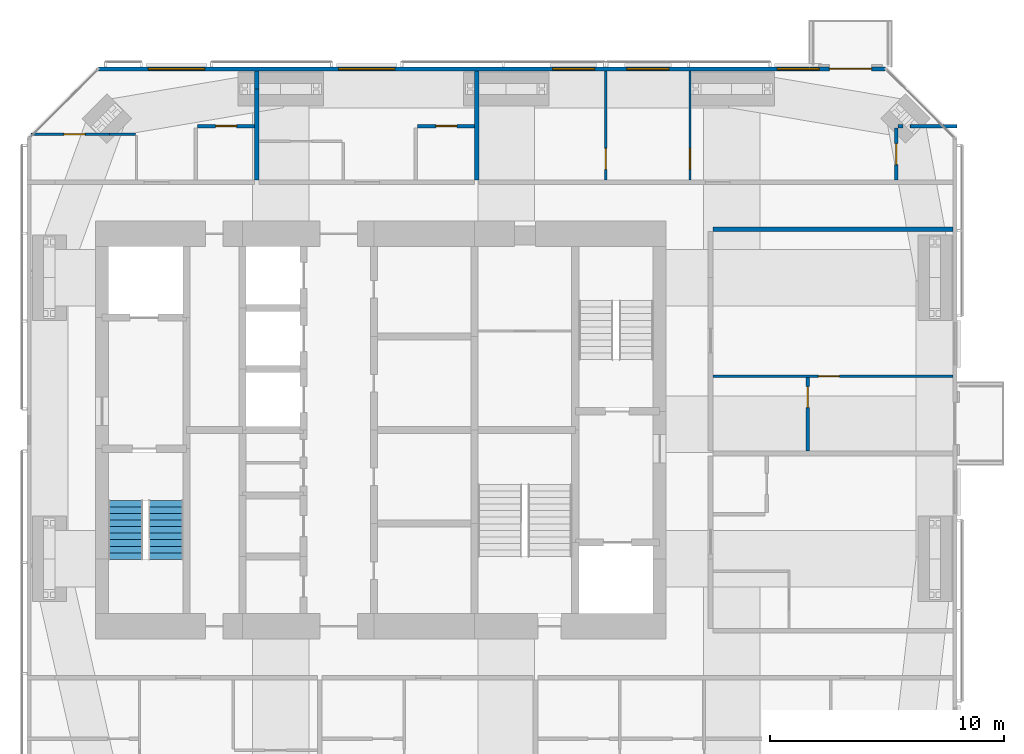
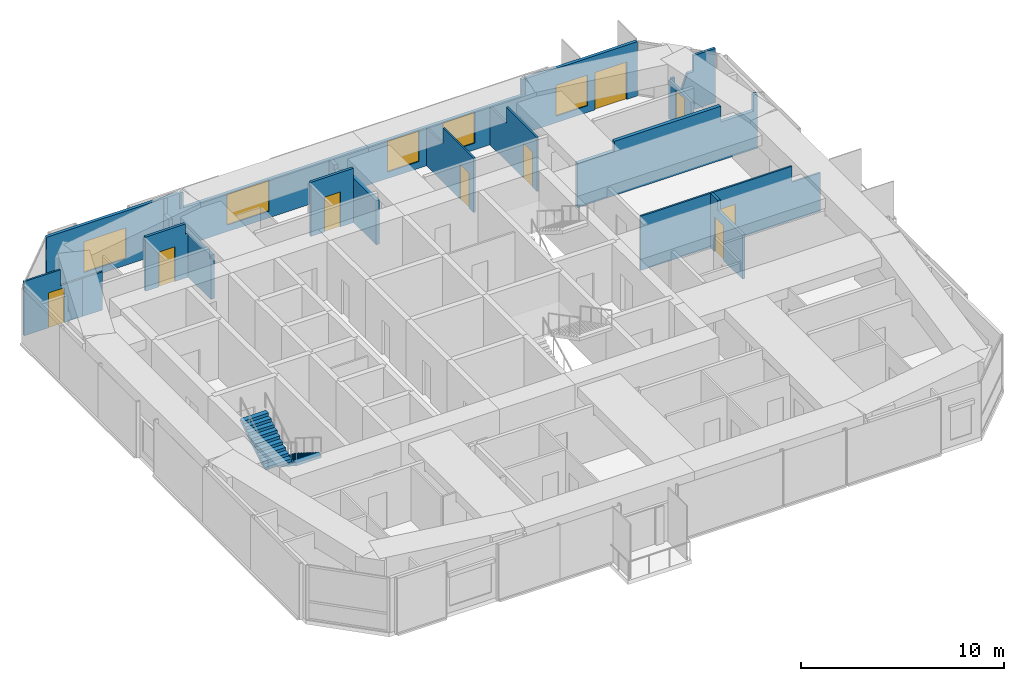
# One storey, part 16 of 18: 16 walls, 9 doors, 5 windows, 2 stair flights, 14 openings, 1 element without a shape of its own.
"""IFC4 building model written with IfcOpenShell, lengths in metres."""

import ifcopenshell
import ifcopenshell.guid

model = None  # the IFC model being written
_history = None  # IfcOwnerHistory: only IFC2X3 demands one
_inside = {}  # id of a spatial element -> (the spatial element, [elements in it])
_under = {}  # id of a project, library or spatial element -> (it, [spatial elements below it])
_declared = {}  # id of a project -> (the project, [libraries it declares])
_typed = {}  # id of a type object -> (the type object, [elements of that type])
_made_of = {}  # id of a material, layer set ... -> (it, [elements and type objects made of it])


def new_model(schema):
    """Start an empty IFC model of exactly this schema.

    Asked for "IFC4X3", IfcOpenShell would pick the latest addendum, in which some entities
    have other attributes; the version numbers below select the first issue.
    IFC2X3 requires an IfcOwnerHistory on every rooted entity: one is made here for all.
    """
    global model, _history
    if schema == "IFC4X3":
        model = ifcopenshell.file(schema_version=(4, 3, 0, 0))
    else:
        model = ifcopenshell.file(schema=schema)
    _inside.clear()
    _under.clear()
    _declared.clear()
    _typed.clear()
    _made_of.clear()
    _history = None
    if model.schema == "IFC2X3":
        org = make("IfcOrganization", Name="unknown")
        user = make(
            "IfcPersonAndOrganization",
            ThePerson=make("IfcPerson", FamilyName="unknown"),
            TheOrganization=org,
        )
        app = make(
            "IfcApplication",
            ApplicationDeveloper=org,
            Version="unknown",
            ApplicationFullName="unknown",
            ApplicationIdentifier="unknown",
        )
        _history = make(
            "IfcOwnerHistory",
            OwningUser=user,
            OwningApplication=app,
            ChangeAction="ADDED",
            CreationDate=0,
        )
    return model


def make(cls, **values):
    """One entity of the class cls with the attributes given. An attribute that is None is left unset."""
    return model.create_entity(
        cls, **{name: value for name, value in values.items() if value is not None}
    )


def rooted(cls, **values):
    """An entity with a GlobalId (a new one), such as an element, a storey or a relation."""
    return make(cls, GlobalId=ifcopenshell.guid.new(), OwnerHistory=_history, **values)


def si_unit(unit_type, name, prefix=None):
    """IfcSIUnit, for example si_unit("LENGTHUNIT", "METRE", prefix="MILLI")."""
    return make("IfcSIUnit", UnitType=unit_type, Prefix=prefix, Name=name)


def assignment(units):
    """IfcUnitAssignment: the units of a project."""
    return None if units is None else make("IfcUnitAssignment", Units=units)


def point(xyz):
    """IfcCartesianPoint."""
    return None if xyz is None else make("IfcCartesianPoint", Coordinates=xyz)


def direction(xyz):
    """IfcDirection."""
    return None if xyz is None else make("IfcDirection", DirectionRatios=xyz)


def frame(location, z_axis=None, x_axis=None):
    """IfcAxis2Placement3D, a coordinate frame: its origin and axes. An axis left out is left unset."""
    return make(
        "IfcAxis2Placement3D",
        Location=point(location),
        Axis=direction(z_axis),
        RefDirection=direction(x_axis),
    )


def frame_2d(location, x_axis=None):
    """IfcAxis2Placement2D, a coordinate frame in the plane: its origin and x axis."""
    return make(
        "IfcAxis2Placement2D", Location=point(location), RefDirection=direction(x_axis)
    )


def origin():
    """The frame at (0, 0, 0) with its axes left unset."""
    return frame((0.0, 0.0, 0.0))


def place(relative_to, where):
    """IfcLocalPlacement: puts the frame where relative to a parent placement (None: the world)."""
    return make(
        "IfcLocalPlacement", PlacementRelTo=relative_to, RelativePlacement=where
    )


def context(
    kind, dimensions, precision=None, world=None, true_north=None, identifier=None
):
    """IfcGeometricRepresentationContext, for example the 3D "Model" context."""
    return make(
        "IfcGeometricRepresentationContext",
        ContextIdentifier=identifier,
        ContextType=kind,
        CoordinateSpaceDimension=dimensions,
        Precision=precision,
        WorldCoordinateSystem=world,
        TrueNorth=true_north,
    )


def subcontext(parent, identifier, kind, view, scale=None):
    """IfcGeometricRepresentationSubContext, for example "Body" below "Model"."""
    return make(
        "IfcGeometricRepresentationSubContext",
        ContextIdentifier=identifier,
        ContextType=kind,
        ParentContext=parent,
        TargetScale=scale,
        TargetView=view,
    )


def project(units=None, contexts=None):
    """IfcProject with its units and contexts."""
    return rooted(
        "IfcProject",
        Name="project",
        RepresentationContexts=contexts,
        UnitsInContext=assignment(units),
    )


def spatial(cls, under=None, at=None, **own):
    """A site, building, storey or space (cls), placed at a placement, below another one or the project."""
    s = rooted(cls, ObjectPlacement=at, **own)
    if under is not None:
        _under.setdefault(under.id(), (under, []))[1].append(s)
    return s


def polyline(points):
    """IfcPolyline through the points."""
    return make("IfcPolyline", Points=[point(p) for p in points])


def profile(cls, at=None, kind="AREA", **sizes):
    """A parametric profile (cls). Its sizes go by their IFC names, for example OverallWidth=200.0."""
    return make(cls, ProfileType=kind, Position=at, **sizes)


def rectangle(**sizes):
    """IfcRectangleProfileDef."""
    return profile("IfcRectangleProfileDef", **sizes)


def outline(outer, holes=None, kind="AREA"):
    """IfcArbitraryClosedProfileDef: a profile drawn as a closed curve; with holes, ...WithVoids."""
    if holes is None:
        return make("IfcArbitraryClosedProfileDef", ProfileType=kind, OuterCurve=outer)
    return make(
        "IfcArbitraryProfileDefWithVoids",
        ProfileType=kind,
        OuterCurve=outer,
        InnerCurves=holes,
    )


def extrude(swept, where, along, depth):
    """IfcExtrudedAreaSolid: the profile swept, set in the frame where, extruded along a direction by depth."""
    return make(
        "IfcExtrudedAreaSolid",
        SweptArea=swept,
        Position=where,
        ExtrudedDirection=direction(along),
        Depth=depth,
    )


def shape(context_of_items, identifier, shape_type, items):
    """IfcShapeRepresentation: the items that make up one representation, for example the "Body"."""
    return make(
        "IfcShapeRepresentation",
        ContextOfItems=context_of_items,
        RepresentationIdentifier=identifier,
        RepresentationType=shape_type,
        Items=items,
    )


def material(Name=None, Category=None):
    """IfcMaterial."""
    return make("IfcMaterial", Name=Name, Category=Category)


def constituent(of_material, Name=None, Category=None, fraction=None):
    """IfcMaterialConstituent: one of the materials an element consists of."""
    return make(
        "IfcMaterialConstituent",
        Name=Name,
        Material=of_material,
        Fraction=fraction,
        Category=Category,
    )


def constituent_set(constituents=None, Name=None):
    """IfcMaterialConstituentSet."""
    return make(
        "IfcMaterialConstituentSet", Name=Name, MaterialConstituents=constituents
    )


def made_of(thing, what):
    """Note that an element or type object is made of a material, layer set ...; save() writes the relation."""
    if what is not None:
        _made_of.setdefault(what.id(), (what, []))[1].append(thing)
    return thing


def type_object(cls, material=None, **own):
    """A type object (cls), such as IfcWallType, which elements share."""
    return made_of(rooted(cls, **own), material)


def element(
    cls,
    number,
    at=None,
    inside=None,
    cuts=None,
    type_object=None,
    material=None,
    context=None,
    identifier="Body",
    shape_type=None,
    held_by="IfcProductDefinitionShape",
    body=None,
    shapes=None,
    **own,
):
    """One element of the class cls, such as IfcWall. Its Tag is "e" and its number.

    at: its placement. inside: the storey or other place that contains it. cuts: it is an
    opening in that element (IfcRelVoidsElement). A single representation is given by context,
    identifier, shape_type and body (its items); several are given by shapes. held_by: the class
    of the entity that holds the representations. save() writes the other relations.
    """
    e = rooted(cls, Tag="e%d" % number, ObjectPlacement=at, **own)
    if body is not None:
        shapes = [shape(context, identifier, shape_type, body)]
    if shapes is not None:
        e.Representation = make(held_by, Representations=shapes)
    if inside is not None:
        _inside.setdefault(inside.id(), (inside, []))[1].append(e)
    if cuts is not None:
        rooted(
            "IfcRelVoidsElement", RelatingBuildingElement=cuts, RelatedOpeningElement=e
        )
    if type_object is not None:
        _typed.setdefault(type_object.id(), (type_object, []))[1].append(e)
    return made_of(e, material)


def fill(opening, filler):
    """IfcRelFillsElement: the door or window that sits in an opening."""
    return rooted(
        "IfcRelFillsElement",
        RelatingOpeningElement=opening,
        RelatedBuildingElement=filler,
    )


def aggregate(whole, parts):
    """IfcRelAggregates: a whole, such as a stair, and the parts it consists of."""
    return rooted("IfcRelAggregates", RelatingObject=whole, RelatedObjects=parts)


def save(model, path):
    """Write the relations noted so far, then the file.

    IfcRelAggregates (storeys below a building ...), IfcRelContainedInSpatialStructure (elements
    in a storey), IfcRelDefinesByType, IfcRelAssociatesMaterial and IfcRelDeclares: one each for
    every whole, place, type object, material and project.
    """
    for whole, parts in _under.values():
        aggregate(whole, parts)
    for where, things in _inside.values():
        rooted(
            "IfcRelContainedInSpatialStructure",
            RelatedElements=things,
            RelatingStructure=where,
        )
    for kind, things in _typed.values():
        rooted("IfcRelDefinesByType", RelatedObjects=things, RelatingType=kind)
    for what, things in _made_of.values():
        rooted("IfcRelAssociatesMaterial", RelatedObjects=things, RelatingMaterial=what)
    for by, libraries in _declared.values():
        rooted("IfcRelDeclares", RelatingContext=by, RelatedDefinitions=libraries)
    model.write(path)


model = new_model("IFC4")

# Units and contexts
model_context = context("Model", 3, precision=1e-05, world=origin(), true_north=direction((0.0, 1.0)))
body_context = subcontext(model_context, "Body", "Model", "MODEL_VIEW")
ifc_project = project(units=[si_unit("LENGTHUNIT", "METRE"), si_unit("AREAUNIT", "SQUARE_METRE"), si_unit("VOLUMEUNIT", "CUBIC_METRE"), si_unit("PLANEANGLEUNIT", "RADIAN"), si_unit("MASSUNIT", "GRAM", prefix="KILO")], contexts=[model_context])

# Site, building, storey
site_placement = place(None, origin())
site = spatial("IfcSite", under=ifc_project, at=site_placement, CompositionType="ELEMENT")
building_placement = place(site_placement, origin())
building = spatial("IfcBuilding", under=site, at=building_placement, Name="Jalousie Tower", CompositionType="ELEMENT")
storey_placement = place(building_placement, frame((0.0, 0.0, 231.949951171875)))
storey = spatial("IfcBuildingStorey", under=building, at=storey_placement, Name="L63", CompositionType="ELEMENT", Elevation=231.949951171875)

# Wall, opening, door
ifc_material_1 = material(Name="Concrete block ASTM C90", Category="concrete")
ifc_constituent_1 = constituent(ifc_material_1, Name="Body")
ifc_material_2 = material(Name="Render")
ifc_constituent_2 = constituent(ifc_material_2, Name="Finish")
ifc_constituent_set_1 = constituent_set(constituents=[ifc_constituent_1, ifc_constituent_2])
wall_type_1 = type_object("IfcWallType", Name="BATHROOM WALL 150", PredefinedType="PLUMBINGWALL", material=ifc_constituent_set_1)
wall_1_placement = place(storey_placement, frame((24.074951171875, 31.47509765625, 0.0), z_axis=(0.0, 0.0, 1.0), x_axis=(1.0, 0.0, 0.0)))
wall_1 = element("IfcWall", 1, at=wall_1_placement, inside=storey, type_object=wall_type_1, Name="Bathroom Wall 150 L63", PredefinedType="PLUMBINGWALL", context=body_context, shape_type="SweptSolid", body=[
    extrude(outline(polyline([(0.0, 0.0), (2.425048828125, 0.0), (2.425048828125, 3.260009765625), (2.425048828125, 2.66015625), (2.264892578125, 2.66015625), (2.264892578125, 3.260009765625), (0.0, 3.260009765625), (0.0, 0.0)])), frame((0.0, 0.074951171875, 0.0), z_axis=(0.0, -1.0, 0.0), x_axis=(1.0, 0.0, 0.0)), (0.0, 0.0, 1.0), 0.14990234375),
])
opening_1_placement = place(wall_1_placement, frame((0.77490234375, 0.0, 0.0)))
opening_1 = element("IfcOpeningElement", 2, at=opening_1_placement, cuts=wall_1, Name="Opening D3", PredefinedType="OPENING", context=body_context, shape_type="SweptSolid", body=[
    extrude(rectangle(XDim=0.89990234375, YDim=2.10009765625, at=frame_2d((0.449951171875, 1.050048828125))), frame((0.0, 0.0849609375, 0.0), z_axis=(0.0, -1.0, 0.0), x_axis=(1.0, 0.0, 0.0)), (0.0, 0.0, 1.0), 0.169921875),
])
ifc_material_3 = material(Name="Timber door", Category="wood")
door_type_1 = type_object("IfcDoorType", Name="BATHROOM DOOR 900", OperationType="SINGLE_SWING_LEFT", PredefinedType="DOOR", material=ifc_material_3)
door_1_placement = place(opening_1_placement, frame((0.89990234375, 0.0, 0.0), z_axis=(0.0, 0.0, 1.0), x_axis=(-1.0, 0.0, 0.0)))
door_1 = element("IfcDoor", 3, at=door_1_placement, inside=storey, type_object=door_type_1, Name="Apartment 6304 bathroom door", OperationType="SINGLE_SWING_LEFT", OverallHeight=2.10009765625, OverallWidth=0.89990234375, PredefinedType="DOOR", context=body_context, shape_type="SweptSolid", body=[
    extrude(rectangle(XDim=0.89990234375, YDim=2.10009765625, at=frame_2d((0.449951171875, 1.050048828125))), frame((0.0, 0.02490234375, 0.0), z_axis=(0.0, -1.0, 0.0), x_axis=(1.0, 0.0, 0.0)), (0.0, 0.0, 1.0), 0.050048828125),
])
fill(opening_1, door_1)

wall_2_placement = place(storey_placement, frame((33.47509765625, 31.47509765625, 0.0), z_axis=(0.0, 0.0, 1.0), x_axis=(1.0, 0.0, 0.0)))
wall_2 = element("IfcWall", 4, at=wall_2_placement, inside=storey, type_object=wall_type_1, Name="Bathroom Wall 150 L63", PredefinedType="PLUMBINGWALL", context=body_context, shape_type="SweptSolid", body=[
    extrude(rectangle(XDim=2.4248046875, YDim=0.14990234375, at=frame_2d((1.21240234375, 0.0))), origin(), (0.0, 0.0, 1.0), 3.260009765625),
])
opening_2_placement = place(wall_2_placement, frame((0.77490234375, 0.0, 0.0)))
opening_2 = element("IfcOpeningElement", 5, at=opening_2_placement, cuts=wall_2, Name="Opening D3", PredefinedType="OPENING", context=body_context, shape_type="SweptSolid", body=[
    extrude(rectangle(XDim=0.89990234375, YDim=2.10009765625, at=frame_2d((0.449951171875, 1.050048828125))), frame((0.0, 0.0849609375, 0.0), z_axis=(0.0, -1.0, 0.0), x_axis=(1.0, 0.0, 0.0)), (0.0, 0.0, 1.0), 0.169921875),
])
door_2_placement = place(opening_2_placement, frame((0.89990234375, 0.0, 0.0), z_axis=(0.0, 0.0, 1.0), x_axis=(-1.0, 0.0, 0.0)))
door_2 = element("IfcDoor", 6, at=door_2_placement, inside=storey, type_object=door_type_1, Name="Apartment 6305 bathroom door", OperationType="SINGLE_SWING_LEFT", OverallHeight=2.10009765625, OverallWidth=0.89990234375, PredefinedType="DOOR", context=body_context, shape_type="SweptSolid", body=[
    extrude(rectangle(XDim=0.89990234375, YDim=2.10009765625, at=frame_2d((0.449951171875, 1.050048828125))), frame((0.0, 0.02490234375, 0.0), z_axis=(0.0, -1.0, 0.0), x_axis=(1.0, 0.0, 0.0)), (0.0, 0.0, 1.0), 0.050048828125),
])
fill(opening_2, door_2)

# Walls
wall_3_placement = place(storey_placement, frame((53.97509765625, 31.47509765625, 0.0), z_axis=(0.0, 0.0, 1.0), x_axis=(1.0, 0.0, 0.0)))
element("IfcWall", 7, at=wall_3_placement, inside=storey, type_object=wall_type_1, Name="Bathroom Wall 150 L63-A", PredefinedType="PLUMBINGWALL", context=body_context, shape_type="SweptSolid", body=[
    extrude(rectangle(XDim=0.216796875, YDim=0.14990234375, at=frame_2d((0.1083984375, 0.0))), origin(), (0.0, 0.0, 1.0), 2.300048828125),
])
wall_4_placement = place(storey_placement, frame((54.4833984375, 31.47509765625, 0.0), z_axis=(0.0, 0.0, 1.0), x_axis=(1.0, 0.0, 0.0)))
element("IfcWall", 8, at=wall_4_placement, inside=storey, type_object=wall_type_1, Name="Bathroom Wall 150 L63-B", PredefinedType="PLUMBINGWALL", context=body_context, shape_type="SweptSolid", body=[
    extrude(outline(polyline([(0.768310546875, 3.260009765625), (0.768310546875, 2.300048828125), (0.4072265625, 2.300048828125), (0.39599609375, 2.2392578125), (0.0, 1.150146484375), (0.39599609375, 0.06103515625), (0.4072265625, 0.0), (2.0166015625, 0.0), (2.0166015625, 3.260009765625), (0.768310546875, 3.260009765625)])), frame((0.0, 0.074951171875, 0.0), z_axis=(0.0, -1.0, 0.0), x_axis=(1.0, 0.0, 0.0)), (0.0, 0.0, 1.0), 0.14990234375),
])

# Wall, opening, door
wall_5_placement = place(storey_placement, frame((53.89990234375, 31.39990234375, 0.0), z_axis=(0.0, 0.0, 1.0), x_axis=(0.0, -1.0, 0.0)))
wall_5 = element("IfcWall", 9, at=wall_5_placement, inside=storey, type_object=wall_type_1, Name="Bathroom Wall 150 L63", PredefinedType="PLUMBINGWALL", context=body_context, shape_type="SweptSolid", body=[
    extrude(outline(polyline([(0.0, 0.0), (2.224853515625, 0.0), (2.22509765625, 3.260009765625), (2.22509765625, 2.300048828125), (0.43798828125, 2.300048828125), (0.0, 2.300048828125), (0.0, 3.260009765625), (0.0, 0.0)])), frame((0.0, 0.074951171875, 0.0), z_axis=(0.0, -1.0, 0.0), x_axis=(1.0, 0.0, 0.0)), (0.0, 0.0, 1.0), 0.14990234375),
])
opening_3_placement = place(wall_5_placement, frame((0.675048828125, 0.0, 0.0)))
opening_3 = element("IfcOpeningElement", 10, at=opening_3_placement, cuts=wall_5, Name="Opening D3", PredefinedType="OPENING", context=body_context, shape_type="SweptSolid", body=[
    extrude(rectangle(XDim=0.89990234375, YDim=2.10009765625, at=frame_2d((0.449951171875, 1.050048828125))), frame((0.0, 0.0849609375, 0.0), z_axis=(0.0, -1.0, 0.0), x_axis=(1.0, 0.0, 0.0)), (0.0, 0.0, 1.0), 0.169921875),
])
door_3_placement = place(opening_3_placement, origin())
door_3 = element("IfcDoor", 11, at=door_3_placement, inside=storey, type_object=door_type_1, Name="Apartment 6306 bathroom door", OperationType="SINGLE_SWING_RIGHT", OverallHeight=2.10009765625, OverallWidth=0.89990234375, PredefinedType="DOOR", context=body_context, shape_type="SweptSolid", body=[
    extrude(rectangle(XDim=0.89990234375, YDim=2.10009765625, at=frame_2d((0.449951171875, 1.050048828125))), frame((0.0, 0.02490234375, 0.0), z_axis=(0.0, -1.0, 0.0), x_axis=(1.0, 0.0, 0.0)), (0.0, 0.0, 1.0), 0.050048828125),
])
fill(opening_3, door_3)

wall_6_placement = place(storey_placement, frame((50.125, 17.60009765625, 0.0), z_axis=(0.0, 0.0, 1.0), x_axis=(0.0, 1.0, 0.0)))
wall_6 = element("IfcWall", 12, at=wall_6_placement, inside=storey, type_object=wall_type_1, Name="Bathroom Wall 150 L63", PredefinedType="PLUMBINGWALL", context=body_context, shape_type="SweptSolid", body=[
    extrude(outline(polyline([(0.0, 0.0), (3.14990234375, 0.0), (3.14990234375, 3.260009765625), (2.43505859375, 3.260009765625), (2.43505859375, 2.66015625), (0.0, 2.66015625), (0.0, 3.260009765625), (0.0, 0.0)])), frame((0.0, 0.074951171875, 0.0), z_axis=(0.0, -1.0, 0.0), x_axis=(1.0, 0.0, 0.0)), (0.0, 0.0, 1.0), 0.14990234375),
])
opening_4_placement = place(wall_6_placement, frame((1.85009765625, 0.0, 0.0)))
opening_4 = element("IfcOpeningElement", 13, at=opening_4_placement, cuts=wall_6, Name="Opening D3", PredefinedType="OPENING", context=body_context, shape_type="SweptSolid", body=[
    extrude(rectangle(XDim=0.89990234375, YDim=2.10009765625, at=frame_2d((0.449951171875, 1.050048828125))), frame((0.0, 0.0849609375, 0.0), z_axis=(0.0, -1.0, 0.0), x_axis=(1.0, 0.0, 0.0)), (0.0, 0.0, 1.0), 0.169921875),
])
door_4_placement = place(opening_4_placement, origin())
door_4 = element("IfcDoor", 14, at=door_4_placement, inside=storey, type_object=door_type_1, Name="Apartment 6308 bedroom 1 bathroom door", OperationType="SINGLE_SWING_RIGHT", OverallHeight=2.10009765625, OverallWidth=0.89990234375, PredefinedType="DOOR", context=body_context, shape_type="SweptSolid", body=[
    extrude(rectangle(XDim=0.89990234375, YDim=2.10009765625, at=frame_2d((0.449951171875, 1.050048828125))), frame((0.0, 0.02490234375, 0.0), z_axis=(0.0, -1.0, 0.0), x_axis=(1.0, 0.0, 0.0)), (0.0, 0.0, 1.0), 0.050048828125),
])
fill(opening_4, door_4)

# Wall
ifc_material_4 = material(Name="Concrete block ASTM C90", Category="concrete")
ifc_constituent_3 = constituent(ifc_material_4, Name="Body")
ifc_material_5 = material(Name="Render")
ifc_constituent_4 = constituent(ifc_material_5, Name="Finish")
ifc_constituent_set_2 = constituent_set(constituents=[ifc_constituent_3, ifc_constituent_4])
wall_type_2 = type_object("IfcWallType", Name="CORRIDOR WALL 200", PredefinedType="PARTITIONING", material=ifc_constituent_set_2)
wall_7_placement = place(storey_placement, frame((46.074951171875, 27.074951171875, 0.0), z_axis=(0.0, 0.0, 1.0), x_axis=(1.0, 0.0, 0.0)))
element("IfcWall", 15, at=wall_7_placement, inside=storey, type_object=wall_type_2, Name="Corridor Wall 200 L63", PredefinedType="PARTITIONING", context=body_context, shape_type="SweptSolid", body=[
    extrude(outline(polyline([(0.0, 0.0), (10.25, 0.0), (10.25, 3.260009765625), (10.0166015625, 3.260009765625), (10.0166015625, 2.300048828125), (8.16552734375, 2.300048828125), (8.16552734375, 3.260009765625), (2.110107421875, 3.260009765625), (2.110107421875, 2.66015625), (0.0, 2.66015625), (0.0, 3.260009765625), (0.0, 0.0)])), frame((0.0, 0.10009765625, 0.0), z_axis=(0.0, -1.0, 0.0), x_axis=(1.0, 0.0, 0.0)), (0.0, 0.0, 1.0), 0.199951171875),
])

# Wall, openings, door, windows
ifc_material_6 = material(Name="Concrete f'c 40 MPa", Category="concrete")
ifc_constituent_5 = constituent(ifc_material_6, Name="Body")
ifc_material_7 = material(Name="Render, pastel sky blue")
ifc_constituent_6 = constituent(ifc_material_7, Name="Finish")
ifc_constituent_set_3 = constituent_set(constituents=[ifc_constituent_5, ifc_constituent_6])
wall_type_3 = type_object("IfcWallType", Name="EXTERNAL WALL 175 SKY BLUE RENDER", PredefinedType="SOLIDWALL", material=ifc_constituent_set_3)
wall_8_placement = place(storey_placement, frame((53.44873046875, 33.91259765625, 0.0), z_axis=(0.0, 0.0, 1.0), x_axis=(-1.0, 0.0, 0.0)))
wall_8 = element("IfcWall", 16, at=wall_8_placement, inside=storey, type_object=wall_type_3, Name="External Wall 175 Sky Blue Render L63", PredefinedType="SOLIDWALL", context=body_context, shape_type="SweptSolid", body=[
    extrude(outline(polyline([(0.0, 0.0), (33.597412109375, 0.0), (33.597412109375, 3.260009765625), (26.03857421875, 3.260009765625), (26.03857421875, 2.300048828125), (25.955078125, 2.300048828125), (25.955078125, 3.260009765625), (25.82373046875, 3.260009765625), (25.82373046875, 2.300048828125), (6.57373046875, 2.300048828125), (6.57373046875, 3.260009765625), (6.4423828125, 3.260009765625), (6.4423828125, 2.300048828125), (6.35888671875, 2.300048828125), (6.35888671875, 3.260009765625), (0.0, 3.260009765625), (0.0, 0.0)])), frame((0.0, 0.08740234375, 0.0), z_axis=(0.0, -1.0, 0.0), x_axis=(1.0, 0.0, 0.0)), (0.0, 0.0, 1.0), 0.175048828125),
])
opening_5_placement = place(wall_8_placement, frame((0.60009765625, 0.0, 0.0)))
opening_5 = element("IfcOpeningElement", 17, at=opening_5_placement, cuts=wall_8, Name="Opening D-BAL22", PredefinedType="OPENING", context=body_context, shape_type="SweptSolid", body=[
    extrude(rectangle(XDim=1.800048828125, YDim=2.25, at=frame_2d((0.89990234375, 1.125))), frame((0.0, 0.097412109375, 0.0), z_axis=(0.0, -1.0, 0.0), x_axis=(1.0, 0.0, 0.0)), (0.0, 0.0, 1.0), 0.195068359375),
])
opening_6_placement = place(wall_8_placement, frame((2.835205078125, 0.0, 0.39990234375)))
opening_6 = element("IfcOpeningElement", 18, at=opening_6_placement, cuts=wall_8, Name="Opening W-BED185", PredefinedType="OPENING", context=body_context, shape_type="SweptSolid", body=[
    extrude(rectangle(XDim=1.800048828125, YDim=1.85009765625, at=frame_2d((0.89990234375, 0.925048828125))), frame((0.0, 0.097412109375, 0.0), z_axis=(0.0, -1.0, 0.0), x_axis=(1.0, 0.0, 0.0)), (0.0, 0.0, 1.0), 0.195068359375),
])
opening_7_placement = place(wall_8_placement, frame((9.248779296875, 0.0, 0.39990234375)))
opening_7 = element("IfcOpeningElement", 19, at=opening_7_placement, cuts=wall_8, Name="Opening W-BED185", PredefinedType="OPENING", context=body_context, shape_type="SweptSolid", body=[
    extrude(rectangle(XDim=1.800048828125, YDim=1.85009765625, at=frame_2d((0.89990234375, 0.925048828125))), frame((0.0, 0.097412109375, 0.0), z_axis=(0.0, -1.0, 0.0), x_axis=(1.0, 0.0, 0.0)), (0.0, 0.0, 1.0), 0.195068359375),
])
opening_8_placement = place(wall_8_placement, frame((12.419921875, 0.0, 0.39990234375)))
opening_8 = element("IfcOpeningElement", 20, at=opening_8_placement, cuts=wall_8, Name="Opening W-BED185", PredefinedType="OPENING", context=body_context, shape_type="SweptSolid", body=[
    extrude(rectangle(XDim=1.800048828125, YDim=1.85009765625, at=frame_2d((0.89990234375, 0.925048828125))), frame((0.0, 0.097412109375, 0.0), z_axis=(0.0, -1.0, 0.0), x_axis=(1.0, 0.0, 0.0)), (0.0, 0.0, 1.0), 0.195068359375),
])
opening_9_placement = place(wall_8_placement, frame((20.94873046875, 0.0, 0.39990234375)))
opening_9 = element("IfcOpeningElement", 21, at=opening_9_placement, cuts=wall_8, Name="Opening W-LIV185", PredefinedType="OPENING", context=body_context, shape_type="SweptSolid", body=[
    extrude(rectangle(XDim=2.39990234375, YDim=1.85009765625, at=frame_2d((1.199951171875, 0.925048828125))), frame((0.0, 0.097412109375, 0.0), z_axis=(0.0, -1.0, 0.0), x_axis=(1.0, 0.0, 0.0)), (0.0, 0.0, 1.0), 0.195068359375),
])
opening_10_placement = place(wall_8_placement, frame((29.072998046875, 0.0, 0.39990234375)))
opening_10 = element("IfcOpeningElement", 22, at=opening_10_placement, cuts=wall_8, Name="Opening W-LIV185", PredefinedType="OPENING", context=body_context, shape_type="SweptSolid", body=[
    extrude(rectangle(XDim=2.39990234375, YDim=1.85009765625, at=frame_2d((1.199951171875, 0.925048828125))), frame((0.0, 0.097412109375, 0.0), z_axis=(0.0, -1.0, 0.0), x_axis=(1.0, 0.0, 0.0)), (0.0, 0.0, 1.0), 0.195068359375),
])
ifc_material_8 = material(Name="Aluminium frame, impact-rated glazing", Category="aluminium")
door_type_2 = type_object("IfcDoorType", Name="BALCONY DOOR 1800x2250", OperationType="SLIDING_TO_LEFT", PredefinedType="DOOR", material=ifc_material_8)
door_5_placement = place(opening_5_placement, origin())
door_5 = element("IfcDoor", 23, at=door_5_placement, inside=storey, type_object=door_type_2, Name="Apartment 6306 living, dining and kitchen balcony door", OperationType="SLIDING_TO_LEFT", OverallHeight=2.25, OverallWidth=1.800048828125, PredefinedType="DOOR", context=body_context, shape_type="SweptSolid", body=[
    extrude(rectangle(XDim=1.800048828125, YDim=2.25, at=frame_2d((0.89990234375, 1.125))), frame((0.0, 0.02490234375, 0.0), z_axis=(0.0, -1.0, 0.0), x_axis=(1.0, 0.0, 0.0)), (0.0, 0.0, 1.0), 0.050048828125),
])
fill(opening_5, door_5)
ifc_material_9 = material(Name="Aluminium frame, impact-rated glazing", Category="aluminium")
window_type_1 = type_object("IfcWindowType", Name="WINDOW BED 1800x1850", PartitioningType="SINGLE_PANEL", PredefinedType="WINDOW", material=ifc_material_9)
window_1_placement = place(opening_6_placement, origin())
window_1 = element("IfcWindow", 24, at=window_1_placement, inside=storey, type_object=window_type_1, Name="Apartment 6306 living, dining and kitchen window", OverallHeight=1.85009765625, OverallWidth=1.800048828125, PartitioningType="SINGLE_PANEL", PredefinedType="WINDOW", context=body_context, shape_type="SweptSolid", body=[
    extrude(rectangle(XDim=1.800048828125, YDim=1.85009765625, at=frame_2d((0.89990234375, 0.925048828125))), frame((0.0, 0.030029296875, 0.0), z_axis=(0.0, -1.0, 0.0), x_axis=(1.0, 0.0, 0.0)), (0.0, 0.0, 1.0), 0.06005859375),
])
fill(opening_6, window_1)
window_2_placement = place(opening_7_placement, origin())
window_2 = element("IfcWindow", 25, at=window_2_placement, inside=storey, type_object=window_type_1, Name="Apartment 6306 bedroom 2 window", OverallHeight=1.85009765625, OverallWidth=1.800048828125, PartitioningType="SINGLE_PANEL", PredefinedType="WINDOW", context=body_context, shape_type="SweptSolid", body=[
    extrude(rectangle(XDim=1.800048828125, YDim=1.85009765625, at=frame_2d((0.89990234375, 0.925048828125))), frame((0.0, 0.030029296875, 0.0), z_axis=(0.0, -1.0, 0.0), x_axis=(1.0, 0.0, 0.0)), (0.0, 0.0, 1.0), 0.06005859375),
])
fill(opening_7, window_2)
window_3_placement = place(opening_8_placement, origin())
window_3 = element("IfcWindow", 26, at=window_3_placement, inside=storey, type_object=window_type_1, Name="Apartment 6306 bedroom 1 window", OverallHeight=1.85009765625, OverallWidth=1.800048828125, PartitioningType="SINGLE_PANEL", PredefinedType="WINDOW", context=body_context, shape_type="SweptSolid", body=[
    extrude(rectangle(XDim=1.800048828125, YDim=1.85009765625, at=frame_2d((0.89990234375, 0.925048828125))), frame((0.0, 0.030029296875, 0.0), z_axis=(0.0, -1.0, 0.0), x_axis=(1.0, 0.0, 0.0)), (0.0, 0.0, 1.0), 0.06005859375),
])
fill(opening_8, window_3)
ifc_material_10 = material(Name="Aluminium frame, impact-rated glazing", Category="aluminium")
window_type_2 = type_object("IfcWindowType", Name="WINDOW LIV 2400x1850", PartitioningType="DOUBLE_PANEL_VERTICAL", PredefinedType="WINDOW", material=ifc_material_10)
window_4_placement = place(opening_9_placement, origin())
window_4 = element("IfcWindow", 27, at=window_4_placement, inside=storey, type_object=window_type_2, Name="Apartment 6305 studio living and sleeping room window", OverallHeight=1.85009765625, OverallWidth=2.39990234375, PartitioningType="SINGLE_PANEL", PredefinedType="WINDOW", context=body_context, shape_type="SweptSolid", body=[
    extrude(rectangle(XDim=2.39990234375, YDim=1.85009765625, at=frame_2d((1.199951171875, 0.925048828125))), frame((0.0, 0.030029296875, 0.0), z_axis=(0.0, -1.0, 0.0), x_axis=(1.0, 0.0, 0.0)), (0.0, 0.0, 1.0), 0.06005859375),
])
fill(opening_9, window_4)
window_5_placement = place(opening_10_placement, origin())
window_5 = element("IfcWindow", 28, at=window_5_placement, inside=storey, type_object=window_type_2, Name="Apartment 6304 studio living and sleeping room window", OverallHeight=1.85009765625, OverallWidth=2.39990234375, PartitioningType="SINGLE_PANEL", PredefinedType="WINDOW", context=body_context, shape_type="SweptSolid", body=[
    extrude(rectangle(XDim=2.39990234375, YDim=1.85009765625, at=frame_2d((1.199951171875, 0.925048828125))), frame((0.0, 0.030029296875, 0.0), z_axis=(0.0, -1.0, 0.0), x_axis=(1.0, 0.0, 0.0)), (0.0, 0.0, 1.0), 0.06005859375),
])
fill(opening_10, window_5)

# Wall, opening, door
ifc_material_11 = material(Name="Gypsum board", Category="gypsum")
ifc_constituent_7 = constituent(ifc_material_11, Name="Body")
ifc_material_12 = material(Name="Light-gauge steel studs ASTM A653 SS Grade 33", Category="steel")
ifc_constituent_8 = constituent(ifc_material_12, Name="Framing")
ifc_constituent_set_4 = constituent_set(constituents=[ifc_constituent_7, ifc_constituent_8])
wall_type_4 = type_object("IfcWallType", Name="PARTITION 100", PredefinedType="PARTITIONING", material=ifc_constituent_set_4)
wall_9_placement = place(storey_placement, frame((16.97509765625, 31.125, 0.0), z_axis=(0.0, 0.0, 1.0), x_axis=(1.0, 0.0, 0.0)))
wall_9 = element("IfcWall", 29, at=wall_9_placement, inside=storey, type_object=wall_type_4, Name="Partition 100 L63-A", PredefinedType="PARTITIONING", context=body_context, shape_type="SweptSolid", body=[
    extrude(outline(polyline([(0.0, 0.0), (3.336669921875, 0.0), (3.3369140625, 2.300048828125), (2.075927734375, 2.300048828125), (2.075927734375, 3.260009765625), (0.0, 3.260009765625), (0.0, 0.0)])), frame((0.0, 0.050048828125, 0.0), z_axis=(0.0, -1.0, 0.0), x_axis=(1.0, 0.0, 0.0)), (0.0, 0.0, 1.0), 0.10009765625),
])
opening_11_placement = place(wall_9_placement, frame((1.39990234375, 0.0, 0.0)))
opening_11 = element("IfcOpeningElement", 30, at=opening_11_placement, cuts=wall_9, Name="Opening D7", PredefinedType="OPENING", context=body_context, shape_type="SweptSolid", body=[
    extrude(rectangle(XDim=0.89990234375, YDim=2.10009765625, at=frame_2d((0.449951171875, 1.050048828125))), frame((0.0, 0.06005859375, 0.0), z_axis=(0.0, -1.0, 0.0), x_axis=(1.0, 0.0, 0.0)), (0.0, 0.0, 1.0), 0.1201171875),
])
ifc_material_13 = material(Name="Timber door", Category="wood")
door_type_3 = type_object("IfcDoorType", Name="INTERNAL DOOR 900", OperationType="SINGLE_SWING_LEFT", PredefinedType="DOOR", material=ifc_material_13)
door_6_placement = place(opening_11_placement, frame((0.89990234375, 0.0, 0.0), z_axis=(0.0, 0.0, 1.0), x_axis=(-1.0, 0.0, 0.0)))
door_6 = element("IfcDoor", 31, at=door_6_placement, inside=storey, type_object=door_type_3, Name="Apartment 6304 kitchen door", OperationType="SINGLE_SWING_RIGHT", OverallHeight=2.10009765625, OverallWidth=0.89990234375, PredefinedType="DOOR", context=body_context, shape_type="SweptSolid", body=[
    extrude(rectangle(XDim=0.89990234375, YDim=2.10009765625, at=frame_2d((0.449951171875, 1.050048828125))), frame((0.0, 0.02490234375, 0.0), z_axis=(0.0, -1.0, 0.0), x_axis=(1.0, 0.0, 0.0)), (0.0, 0.0, 1.0), 0.050048828125),
])
fill(opening_11, door_6)

# Wall
wall_10_placement = place(storey_placement, frame((20.311767578125, 31.125, 0.0), z_axis=(0.0, 0.0, 1.0), x_axis=(1.0, 0.0, 0.0)))
element("IfcWall", 32, at=wall_10_placement, inside=storey, type_object=wall_type_4, Name="Partition 100 L63-B", PredefinedType="PARTITIONING", context=body_context, shape_type="SweptSolid", body=[
    extrude(rectangle(XDim=1.11328125, YDim=0.10009765625, at=frame_2d((0.556640625, 0.0))), origin(), (0.0, 0.0, 1.0), 2.300048828125),
])

# Wall, opening, door
wall_11_placement = place(storey_placement, frame((41.5, 33.824951171875, 0.0), z_axis=(0.0, 0.0, 1.0), x_axis=(0.0, -1.0, 0.0)))
wall_11 = element("IfcWall", 33, at=wall_11_placement, inside=storey, type_object=wall_type_4, Name="Partition 100 L63", PredefinedType="PARTITIONING", context=body_context, shape_type="SweptSolid", body=[
    extrude(outline(polyline([(0.0, 0.0), (4.64990234375, 0.0), (4.64990234375, 3.260009765625), (1.635009765625, 3.260009765625), (1.635009765625, 2.300048828125), (0.0, 2.300048828125), (0.0, 3.260009765625), (0.0, 0.0)])), frame((0.0, 0.050048828125, 0.0), z_axis=(0.0, -1.0, 0.0), x_axis=(1.0, 0.0, 0.0)), (0.0, 0.0, 1.0), 0.10009765625),
])
opening_12_placement = place(wall_11_placement, frame((3.300048828125, 0.0, 0.0)))
opening_12 = element("IfcOpeningElement", 34, at=opening_12_placement, cuts=wall_11, Name="Opening D2", PredefinedType="OPENING", context=body_context, shape_type="SweptSolid", body=[
    extrude(rectangle(XDim=0.89990234375, YDim=2.10009765625, at=frame_2d((0.449951171875, 1.050048828125))), frame((0.0, 0.06005859375, 0.0), z_axis=(0.0, -1.0, 0.0), x_axis=(1.0, 0.0, 0.0)), (0.0, 0.0, 1.0), 0.1201171875),
])
ifc_material_14 = material(Name="Timber door", Category="wood")
door_type_4 = type_object("IfcDoorType", Name="BEDROOM DOOR 900", OperationType="SINGLE_SWING_LEFT", PredefinedType="DOOR", material=ifc_material_14)
door_7_placement = place(opening_12_placement, frame((0.89990234375, 0.0, 0.0), z_axis=(0.0, 0.0, 1.0), x_axis=(-1.0, 0.0, 0.0)))
door_7 = element("IfcDoor", 35, at=door_7_placement, inside=storey, type_object=door_type_4, Name="Apartment 6306 bedroom 1 door", OperationType="SINGLE_SWING_LEFT", OverallHeight=2.10009765625, OverallWidth=0.89990234375, PredefinedType="DOOR", context=body_context, shape_type="SweptSolid", body=[
    extrude(rectangle(XDim=0.89990234375, YDim=2.10009765625, at=frame_2d((0.449951171875, 1.050048828125))), frame((0.0, 0.02490234375, 0.0), z_axis=(0.0, -1.0, 0.0), x_axis=(1.0, 0.0, 0.0)), (0.0, 0.0, 1.0), 0.050048828125),
])
fill(opening_12, door_7)

wall_12_placement = place(storey_placement, frame((45.10009765625, 33.824951171875, 0.0), z_axis=(0.0, 0.0, 1.0), x_axis=(0.0, -1.0, 0.0)))
wall_12 = element("IfcWall", 36, at=wall_12_placement, inside=storey, type_object=wall_type_4, Name="Partition 100 L63", PredefinedType="PARTITIONING", context=body_context, shape_type="SweptSolid", body=[
    extrude(outline(polyline([(0.0, 0.0), (4.64990234375, 0.0), (4.64990234375, 3.260009765625), (1.635009765625, 3.260009765625), (1.635009765625, 2.300048828125), (0.0, 2.300048828125), (0.0, 3.260009765625), (0.0, 0.0)])), frame((0.0, 0.050048828125, 0.0), z_axis=(0.0, -1.0, 0.0), x_axis=(1.0, 0.0, 0.0)), (0.0, 0.0, 1.0), 0.10009765625),
])
opening_13_placement = place(wall_12_placement, frame((3.300048828125, 0.0, 0.0)))
opening_13 = element("IfcOpeningElement", 37, at=opening_13_placement, cuts=wall_12, Name="Opening D2", PredefinedType="OPENING", context=body_context, shape_type="SweptSolid", body=[
    extrude(rectangle(XDim=0.89990234375, YDim=2.10009765625, at=frame_2d((0.449951171875, 1.050048828125))), frame((0.0, 0.06005859375, 0.0), z_axis=(0.0, -1.0, 0.0), x_axis=(1.0, 0.0, 0.0)), (0.0, 0.0, 1.0), 0.1201171875),
])
door_8_placement = place(opening_13_placement, frame((0.89990234375, 0.0, 0.0), z_axis=(0.0, 0.0, 1.0), x_axis=(-1.0, 0.0, 0.0)))
door_8 = element("IfcDoor", 38, at=door_8_placement, inside=storey, type_object=door_type_4, Name="Apartment 6306 bedroom 2 door", OperationType="SINGLE_SWING_LEFT", OverallHeight=2.10009765625, OverallWidth=0.89990234375, PredefinedType="DOOR", context=body_context, shape_type="SweptSolid", body=[
    extrude(rectangle(XDim=0.89990234375, YDim=2.10009765625, at=frame_2d((0.449951171875, 1.050048828125))), frame((0.0, 0.02490234375, 0.0), z_axis=(0.0, -1.0, 0.0), x_axis=(1.0, 0.0, 0.0)), (0.0, 0.0, 1.0), 0.050048828125),
])
fill(opening_13, door_8)

wall_13_placement = place(storey_placement, frame((56.324951171875, 20.800048828125, 0.0), z_axis=(0.0, 0.0, 1.0), x_axis=(-1.0, 0.0, 0.0)))
wall_13 = element("IfcWall", 39, at=wall_13_placement, inside=storey, type_object=wall_type_4, Name="Partition 100 L63", PredefinedType="PARTITIONING", context=body_context, shape_type="SweptSolid", body=[
    extrude(outline(polyline([(0.0, 0.0), (10.25, 0.0), (10.25, 3.260009765625), (1.635009765625, 3.260009765625), (1.635009765625, 2.300048828125), (0.0, 2.300048828125), (0.0, 3.260009765625), (0.0, 0.0)])), frame((0.0, 0.050048828125, 0.0), z_axis=(0.0, -1.0, 0.0), x_axis=(1.0, 0.0, 0.0)), (0.0, 0.0, 1.0), 0.10009765625),
])
opening_14_placement = place(wall_13_placement, frame((4.85009765625, 0.0, 0.0)))
opening_14 = element("IfcOpeningElement", 40, at=opening_14_placement, cuts=wall_13, Name="Opening D2", PredefinedType="OPENING", context=body_context, shape_type="SweptSolid", body=[
    extrude(rectangle(XDim=0.89990234375, YDim=2.10009765625, at=frame_2d((0.449951171875, 1.050048828125))), frame((0.0, 0.06005859375, 0.0), z_axis=(0.0, -1.0, 0.0), x_axis=(1.0, 0.0, 0.0)), (0.0, 0.0, 1.0), 0.1201171875),
])
door_9_placement = place(opening_14_placement, origin())
door_9 = element("IfcDoor", 41, at=door_9_placement, inside=storey, type_object=door_type_4, Name="Apartment 6308 bedroom 1 door", OperationType="SINGLE_SWING_RIGHT", OverallHeight=2.10009765625, OverallWidth=0.89990234375, PredefinedType="DOOR", context=body_context, shape_type="SweptSolid", body=[
    extrude(rectangle(XDim=0.89990234375, YDim=2.10009765625, at=frame_2d((0.449951171875, 1.050048828125))), frame((0.0, 0.02490234375, 0.0), z_axis=(0.0, -1.0, 0.0), x_axis=(1.0, 0.0, 0.0)), (0.0, 0.0, 1.0), 0.050048828125),
])
fill(opening_14, door_9)

# Walls
ifc_material_15 = material(Name="Concrete block ASTM C90", Category="concrete")
ifc_constituent_9 = constituent(ifc_material_15, Name="Body")
ifc_material_16 = material(Name="Render")
ifc_constituent_10 = constituent(ifc_material_16, Name="Finish")
ifc_constituent_set_5 = constituent_set(constituents=[ifc_constituent_9, ifc_constituent_10])
wall_type_5 = type_object("IfcWallType", Name="PARTY WALL 200", PredefinedType="PARTITIONING", material=ifc_constituent_set_5)
wall_14_placement = place(storey_placement, frame((26.60009765625, 33.824951171875, 0.0), z_axis=(0.0, 0.0, 1.0), x_axis=(0.0, -1.0, 0.0)))
element("IfcWall", 42, at=wall_14_placement, inside=storey, type_object=wall_type_5, Name="Party Wall 200 L63-A", PredefinedType="PARTITIONING", context=body_context, shape_type="SweptSolid", body=[
    extrude(outline(polyline([(0.025634765625, 2.300048828125), (0.025634765625, 3.260009765625), (0.0, 3.260009765625), (0.0, 0.0), (0.52880859375, 0.0), (0.52880859375, 0.539306640625), (0.77490234375, 0.539306640625), (0.77490234375, 1.7607421875), (0.52880859375, 1.7607421875), (0.52880859375, 2.300048828125), (0.025634765625, 2.300048828125)])), frame((0.0, 0.10009765625, 0.0), z_axis=(0.0, -1.0, 0.0), x_axis=(1.0, 0.0, 0.0)), (0.0, 0.0, 1.0), 0.199951171875),
])
wall_15_placement = place(storey_placement, frame((26.60009765625, 33.050048828125, 0.0), z_axis=(0.0, 0.0, 1.0), x_axis=(0.0, -1.0, 0.0)))
element("IfcWall", 43, at=wall_15_placement, inside=storey, type_object=wall_type_5, Name="Party Wall 200 L63-B", PredefinedType="PARTITIONING", context=body_context, shape_type="SweptSolid", body=[
    extrude(outline(polyline([(0.24609375, 2.300048828125), (0.24609375, 1.7607421875), (0.0, 1.7607421875), (0.0, 0.539306640625), (0.24609375, 0.539306640625), (0.24609375, 0.0), (3.875, 0.0), (3.875, 2.66015625), (1.0966796875, 2.66015625), (1.0966796875, 2.300048828125), (0.24609375, 2.300048828125)])), frame((0.0, 0.10009765625, 0.0), z_axis=(0.0, -1.0, 0.0), x_axis=(1.0, 0.0, 0.0)), (0.0, 0.0, 1.0), 0.199951171875),
])
wall_16_placement = place(storey_placement, frame((36.0, 33.824951171875, 0.0), z_axis=(0.0, 0.0, 1.0), x_axis=(0.0, -1.0, 0.0)))
element("IfcWall", 44, at=wall_16_placement, inside=storey, type_object=wall_type_5, Name="Party Wall 200 L63", PredefinedType="PARTITIONING", context=body_context, shape_type="SweptSolid", body=[
    extrude(outline(polyline([(0.52880859375, 2.300048828125), (0.0, 2.300048828125), (0.0, 0.0), (0.52880859375, 0.0), (0.52880859375, 0.28125), (1.021240234375, 0.28125), (1.021240234375, 0.0), (4.64990234375, 0.0), (4.64990234375, 2.66015625), (1.68505859375, 2.66015625), (1.68505859375, 2.300048828125), (1.021240234375, 2.300048828125), (1.021240234375, 2.01904296875), (0.52880859375, 2.01904296875), (0.52880859375, 2.300048828125)])), frame((0.0, 0.10009765625, 0.0), z_axis=(0.0, -1.0, 0.0), x_axis=(1.0, 0.0, 0.0)), (0.0, 0.0, 1.0), 0.199951171875),
])

# Stair, stair flights
ifc_material_17 = material(Name="Concrete f'c 40 MPa", Category="concrete")
stair_type = type_object("IfcStairType", Name="EXIT STAIR", PredefinedType="HALF_TURN_STAIR", material=ifc_material_17)
stair_placement = place(storey_placement, origin())
stair = element("IfcStair", 45, at=stair_placement, inside=storey, type_object=stair_type, Name="Exit stair A L63", PredefinedType="HALF_TURN_STAIR")
ifc_material_18 = material(Name="Concrete f'c 40 MPa", Category="concrete")
stair_flight_type = type_object("IfcStairFlightType", Name="STAIR FLIGHT", PredefinedType="STRAIGHT", material=ifc_material_18)
stair_flight_1_placement = place(storey_placement, frame((22.71875, 15.49755859375, 0.0), z_axis=(0.0, 0.0, 1.0), x_axis=(0.0, -1.0, 0.0)))
stair_flight_1 = element("IfcStairFlight", 46, at=stair_flight_1_placement, type_object=stair_flight_type, Name="ST-A flight 1", NumberOfRisers=10, NumberOfTreads=9, PredefinedType="STRAIGHT", RiserHeight=0.175, TreadLength=0.28, context=body_context, shape_type="SweptSolid", body=[
    extrude(outline(polyline([(0.0, 0.0), (0.0, 0.175048828125), (0.280029296875, 0.175048828125), (0.280029296875, 0.35009765625), (0.56005859375, 0.35009765625), (0.56005859375, 0.52490234375), (0.840087890625, 0.52490234375), (0.840087890625, 0.699951171875), (1.1201171875, 0.699951171875), (1.1201171875, 0.875), (1.39990234375, 0.875), (1.39990234375, 1.050048828125), (1.679931640625, 1.050048828125), (1.679931640625, 1.22509765625), (1.9599609375, 1.22509765625), (1.9599609375, 1.39990234375), (2.239990234375, 1.39990234375), (2.239990234375, 1.574951171875), (2.52001953125, 1.574951171875), (2.52001953125, 1.75), (2.52001953125, 1.398193359375), (0.28271484375, 0.0), (0.0, 0.0)])), frame((0.0, 0.731201171875, 0.0), z_axis=(0.0, -1.0, 0.0), x_axis=(1.0, 0.0, 0.0)), (0.0, 0.0, 1.0), 1.46240234375),
])
stair_flight_2_placement = place(storey_placement, frame((21.00634765625, 12.9775390625, 1.75), z_axis=(0.0, 0.0, 1.0), x_axis=(0.0, 1.0, 0.0)))
stair_flight_2 = element("IfcStairFlight", 47, at=stair_flight_2_placement, type_object=stair_flight_type, Name="ST-A flight 2", NumberOfRisers=10, NumberOfTreads=9, PredefinedType="STRAIGHT", RiserHeight=0.175, TreadLength=0.28, context=body_context, shape_type="SweptSolid", body=[
    extrude(outline(polyline([(0.0, 0.0), (0.0, 0.175048828125), (0.280029296875, 0.175048828125), (0.280029296875, 0.35009765625), (0.56005859375, 0.35009765625), (0.56005859375, 0.52490234375), (0.840087890625, 0.52490234375), (0.840087890625, 0.699951171875), (1.1201171875, 0.699951171875), (1.1201171875, 0.875), (1.39990234375, 0.875), (1.39990234375, 1.050048828125), (1.679931640625, 1.050048828125), (1.679931640625, 1.22509765625), (1.9599609375, 1.22509765625), (1.9599609375, 1.39990234375), (2.239990234375, 1.39990234375), (2.239990234375, 1.574951171875), (2.52001953125, 1.574951171875), (2.52001953125, 1.75), (2.52001953125, 1.398193359375), (0.28271484375, 0.0), (0.0, 0.0)])), frame((0.0, 0.731201171875, 0.0), z_axis=(0.0, -1.0, 0.0), x_axis=(1.0, 0.0, 0.0)), (0.0, 0.0, 1.0), 1.46240234375),
])
aggregate(stair, [stair_flight_1, stair_flight_2])

save(model, "model.ifc")
